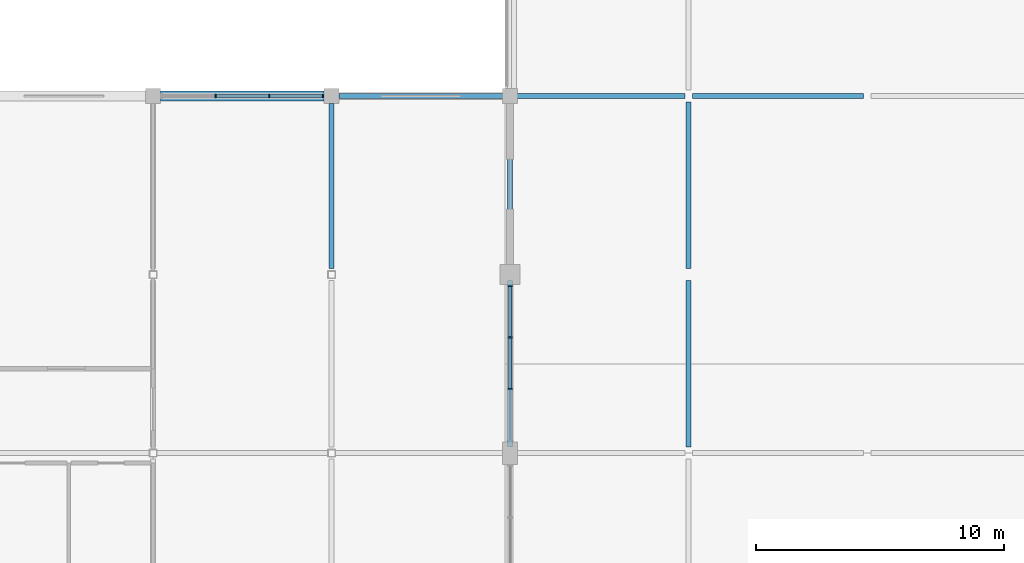
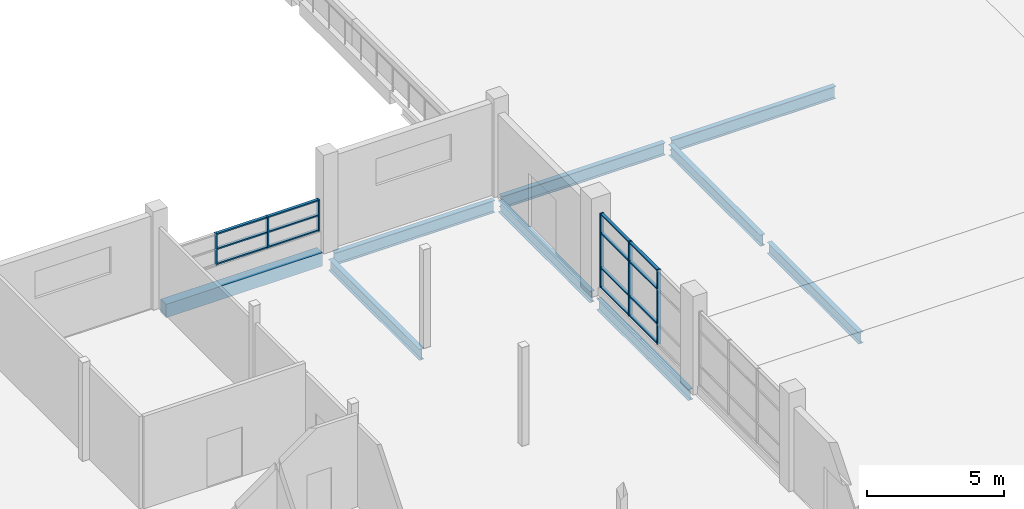
# One storey, part 23 of 71: 20 members, 9 beams, 2 elements without a shape of their own.
"""IFC4 building model written with IfcOpenShell, lengths in metres."""

from ifc_helpers import new_model, si_unit, direction, frame, origin, origin_2d, place, context, subcontext, project, spatial, rectangle, i_section, extrude, material, material_profile, profile_set, type_object, element, aggregate, save


model = new_model("IFC4")

# Units and contexts
model_context = context("Model", 3, precision=1e-05, world=origin(), true_north=direction((0.0, 1.0)))
body_context = subcontext(model_context, "Body", "Model", "MODEL_VIEW")
ifc_project = project(units=[si_unit("LENGTHUNIT", "METRE"), si_unit("AREAUNIT", "SQUARE_METRE"), si_unit("VOLUMEUNIT", "CUBIC_METRE"), si_unit("PLANEANGLEUNIT", "RADIAN"), si_unit("MASSUNIT", "GRAM", prefix="KILO")], contexts=[model_context])

# Site, building, storey
site_placement = place(None, origin())
site = spatial("IfcSite", under=ifc_project, at=site_placement, CompositionType="ELEMENT")
building_placement = place(site_placement, origin())
building = spatial("IfcBuilding", under=site, at=building_placement, Name="Sardonyx Promenade Sports Hall", CompositionType="ELEMENT")
storey_placement = place(building_placement, frame((0.0, 0.0, 16.0)))
storey = spatial("IfcBuildingStorey", under=building, at=storey_placement, Name="L03", CompositionType="ELEMENT", Elevation=16.0)

# Beams
ifc_material_1 = material(Name="Steel S355JR", Category="steel")
ifc_material_profile_1 = material_profile(ifc_material_1, i_section(OverallWidth=0.199951171875, OverallDepth=0.5, WebThickness=0.01025390625, FlangeThickness=0.01611328125, at=origin_2d()))
ifc_profile_set_1 = profile_set([ifc_material_profile_1], Name="Steel S355JR")
beam_type_1 = type_object("IfcBeamType", Name="Bm_Primary_IPE500", PredefinedType="BEAM", material=ifc_profile_set_1)
beam_1_placement = place(storey_placement, frame((100.800048828125, 21.844970703125, -0.5400390625), z_axis=(0.0, 1.0, 0.0), x_axis=(-1.0, 0.0, 0.0)))
element("IfcBeam", 1, at=beam_1_placement, inside=storey, type_object=beam_type_1, Name="Beam SB06 L03 #868", PredefinedType="BEAM", context=body_context, shape_type="SweptSolid", body=[
    extrude(i_section(OverallWidth=0.199951171875, OverallDepth=0.5, WebThickness=0.01025390625, FlangeThickness=0.01611328125, at=origin_2d()), origin(), (0.0, 0.0, 1.0), 6.655029296875),
])
for number, where, z_axis, x_axis, name in (
    (2, (108.0, 14.64501953125, -0.489990234375), (0.0, 1.0, 0.0), (-1.0, 0.0, 0.0), "Beam SB06 L03 #871"),
    (3, (108.0, 21.844970703125, -0.489990234375), (0.0, 1.0, 0.0), (-1.0, 0.0, 0.0), "Beam SB06 L03 #872"),
    (4, (115.199951171875, 14.64501953125, -0.489990234375), (0.0, 1.0, 0.0), (-1.0, 0.0, 0.0), "Beam SB06 L03 #883"),
    (5, (115.199951171875, 21.844970703125, -0.489990234375), (0.0, 1.0, 0.0), (-1.0, 0.0, 0.0), "Beam SB06 L03 #884"),
):
    element("IfcBeam", number, at=place(storey_placement, frame(where, z_axis=z_axis, x_axis=x_axis)), inside=storey, type_object=beam_type_1, Name=name, PredefinedType="BEAM", context=body_context, shape_type="SweptSolid", body=[
        extrude(i_section(OverallWidth=0.199951171875, OverallDepth=0.5, WebThickness=0.01025390625, FlangeThickness=0.01611328125, at=origin_2d()), origin(), (0.0, 0.0, 1.0), 6.7099609375),
    ])
ifc_material_2 = material(Name="Steel S355JR", Category="steel")
ifc_material_profile_2 = material_profile(ifc_material_2, i_section(OverallWidth=0.2099609375, OverallDepth=0.550048828125, WebThickness=0.010986328125, FlangeThickness=0.01708984375, at=origin_2d()))
ifc_profile_set_2 = profile_set([ifc_material_profile_2], Name="Steel S355JR")
beam_type_2 = type_object("IfcBeamType", Name="Bm_Primary_IPE550", PredefinedType="BEAM", material=ifc_profile_set_2)
beam_2_placement = place(storey_placement, frame((101.10009765625, 28.800048828125, -0.56494140625), z_axis=(1.0, 0.0, 0.0), x_axis=(0.0, 1.0, 0.0)))
element("IfcBeam", 6, at=beam_2_placement, inside=storey, type_object=beam_type_2, Name="Beam SB03 L03 #766", PredefinedType="BEAM", context=body_context, shape_type="SweptSolid", body=[
    extrude(i_section(OverallWidth=0.2099609375, OverallDepth=0.550048828125, WebThickness=0.010986328125, FlangeThickness=0.01708984375, at=origin_2d()), origin(), (0.0, 0.0, 1.0), 6.75),
])
beam_3_placement = place(storey_placement, frame((108.14990234375, 28.800048828125, -0.514892578125), z_axis=(1.0, 0.0, 0.0), x_axis=(0.0, 1.0, 0.0)))
element("IfcBeam", 7, at=beam_3_placement, inside=storey, type_object=beam_type_2, Name="Beam SB03 L03 #767", PredefinedType="BEAM", context=body_context, shape_type="SweptSolid", body=[
    extrude(i_section(OverallWidth=0.2099609375, OverallDepth=0.550048828125, WebThickness=0.010986328125, FlangeThickness=0.01708984375, at=origin_2d()), origin(), (0.0, 0.0, 1.0), 6.900146484375),
])
beam_4_placement = place(storey_placement, frame((115.35009765625, 28.800048828125, -0.514892578125), z_axis=(1.0, 0.0, 0.0), x_axis=(0.0, 1.0, 0.0)))
element("IfcBeam", 8, at=beam_4_placement, inside=storey, type_object=beam_type_2, Name="Beam SB03 L03 #768", PredefinedType="BEAM", context=body_context, shape_type="SweptSolid", body=[
    extrude(i_section(OverallWidth=0.2099609375, OverallDepth=0.550048828125, WebThickness=0.010986328125, FlangeThickness=0.01708984375, at=origin_2d()), origin(), (0.0, 0.0, 1.0), 6.89990234375),
])
ifc_material_3 = material(Name="Concrete C40/50", Category="concrete")
ifc_material_profile_3 = material_profile(ifc_material_3, rectangle(XDim=0.39990234375, YDim=0.60009765625, at=origin_2d()))
ifc_profile_set_3 = profile_set([ifc_material_profile_3], Name="Concrete C40/50")
beam_type_3 = type_object("IfcBeamType", Name="Bm_Spandrel_RC600", PredefinedType="SPANDREL", material=ifc_profile_set_3)
beam_5_placement = place(storey_placement, frame((93.89990234375, 28.800048828125, -0.300048828125), z_axis=(1.0, 0.0, 0.0), x_axis=(0.0, 1.0, 0.0)))
element("IfcBeam", 9, at=beam_5_placement, inside=storey, type_object=beam_type_3, Name="Beam SPB1 L03 #765", PredefinedType="SPANDREL", context=body_context, shape_type="SweptSolid", body=[
    extrude(rectangle(XDim=0.39990234375, YDim=0.60009765625, at=origin_2d()), origin(), (0.0, 0.0, 1.0), 6.60009765625),
])

# Curtain wall, members
ifc_material_4 = material(Name="Aluminium 6063-T6", Category="aluminium")
curtain_wall_type_1 = type_object("IfcCurtainWallType", Name="CW_South_L03_640", PredefinedType="USERDEFINED", material=ifc_material_4)
curtain_wall_1_placement = place(storey_placement, origin())
curtain_wall_1 = element("IfcCurtainWall", 10, at=curtain_wall_1_placement, inside=storey, type_object=curtain_wall_type_1, Name="Curtain wall CW14 cw:L03:161", ObjectType="CURTAIN WALL", PredefinedType="USERDEFINED")
ifc_material_5 = material(Name="Aluminium 6063-T6", Category="aluminium")
ifc_material_profile_4 = material_profile(ifc_material_5, rectangle(XDim=0.06005859375, YDim=0.14990234375, at=origin_2d()))
ifc_profile_set_4 = profile_set([ifc_material_profile_4], Name="Aluminium 6063-T6")
member_type_1 = type_object("IfcMemberType", Name="CW_Mull_150", PredefinedType="MULLION", material=ifc_profile_set_4)
member_1_placement = place(storey_placement, frame((108.0, 21.14990234375, 0.35009765625), z_axis=(0.0, 0.0, 1.0), x_axis=(0.0, -1.0, 0.0)))
member_1 = element("IfcMember", 11, at=member_1_placement, type_object=member_type_1, Name="Mullion CM01 cw:L03:161 #1", PredefinedType="MULLION", context=body_context, shape_type="SweptSolid", body=[
    extrude(rectangle(XDim=0.06005859375, YDim=0.14990234375, at=origin_2d()), origin(), (0.0, 0.0, 1.0), 3.324951171875),
])
member_2_placement = place(storey_placement, frame((108.0, 19.066650390625, 0.35009765625), z_axis=(0.0, 0.0, 1.0), x_axis=(0.0, -1.0, 0.0)))
member_2 = element("IfcMember", 12, at=member_2_placement, type_object=member_type_1, Name="Mullion CM01 cw:L03:161 #2", PredefinedType="MULLION", context=body_context, shape_type="SweptSolid", body=[
    extrude(rectangle(XDim=0.06005859375, YDim=0.14990234375, at=origin_2d()), origin(), (0.0, 0.0, 1.0), 3.324951171875),
])
member_3_placement = place(storey_placement, frame((108.0, 16.9833984375, 0.35009765625), z_axis=(0.0, 0.0, 1.0), x_axis=(0.0, -1.0, 0.0)))
member_3 = element("IfcMember", 13, at=member_3_placement, type_object=member_type_1, Name="Mullion CM01 cw:L03:161 #3", PredefinedType="MULLION", context=body_context, shape_type="SweptSolid", body=[
    extrude(rectangle(XDim=0.06005859375, YDim=0.14990234375, at=origin_2d()), origin(), (0.0, 0.0, 1.0), 3.324951171875),
])

ifc_material_6 = material(Name="Aluminium 6063-T6", Category="aluminium")
curtain_wall_type_2 = type_object("IfcCurtainWallType", Name="CW_Spandrel_Band", PredefinedType="USERDEFINED", material=ifc_material_6)
curtain_wall_2_placement = place(storey_placement, origin())
curtain_wall_2 = element("IfcCurtainWall", 14, at=curtain_wall_2_placement, inside=storey, type_object=curtain_wall_type_2, Name="Curtain wall CW16 cw:L03:167", ObjectType="CURTAIN WALL", PredefinedType="USERDEFINED")
member_4_placement = place(storey_placement, frame((96.11669921875, 28.800048828125, 0.89990234375), z_axis=(0.0, 0.0, 1.0), x_axis=(1.0, 0.0, 0.0)))
member_4 = element("IfcMember", 15, at=member_4_placement, type_object=member_type_1, Name="Mullion CM01 cw:L03:167 #2", PredefinedType="MULLION", context=body_context, shape_type="SweptSolid", body=[
    extrude(rectangle(XDim=0.06005859375, YDim=0.14990234375, at=origin_2d()), origin(), (0.0, 0.0, 1.0), 1.400146484375),
])
member_5_placement = place(storey_placement, frame((98.283447265625, 28.800048828125, 0.89990234375), z_axis=(0.0, 0.0, 1.0), x_axis=(1.0, 0.0, 0.0)))
member_5 = element("IfcMember", 16, at=member_5_placement, type_object=member_type_1, Name="Mullion CM01 cw:L03:167 #3", PredefinedType="MULLION", context=body_context, shape_type="SweptSolid", body=[
    extrude(rectangle(XDim=0.06005859375, YDim=0.14990234375, at=origin_2d()), origin(), (0.0, 0.0, 1.0), 1.400146484375),
])
member_6_placement = place(storey_placement, frame((100.449951171875, 28.800048828125, 0.89990234375), z_axis=(0.0, 0.0, 1.0), x_axis=(1.0, 0.0, 0.0)))
member_6 = element("IfcMember", 17, at=member_6_placement, type_object=member_type_1, Name="Mullion CM01 cw:L03:167 #4", PredefinedType="MULLION", context=body_context, shape_type="SweptSolid", body=[
    extrude(rectangle(XDim=0.06005859375, YDim=0.14990234375, at=origin_2d()), origin(), (0.0, 0.0, 1.0), 1.400146484375),
])

# Member
ifc_material_7 = material(Name="Aluminium 6063-T6", Category="aluminium")
ifc_material_profile_5 = material_profile(ifc_material_7, rectangle(XDim=0.06005859375, YDim=0.1201171875, at=origin_2d()))
ifc_profile_set_5 = profile_set([ifc_material_profile_5], Name="Aluminium 6063-T6")
member_type_2 = type_object("IfcMemberType", Name="CW_Tran_120", PredefinedType="USERDEFINED", material=ifc_profile_set_5)
member_7_placement = place(storey_placement, frame((108.0, 21.1201171875, 0.3798828125), z_axis=(0.0, -1.0, 0.0), x_axis=(0.0, 0.0, 1.0)))
member_7 = element("IfcMember", 18, at=member_7_placement, type_object=member_type_2, Name="Transom CT01 cw:L03:161 #1", ObjectType="TRANSOM", PredefinedType="USERDEFINED", context=body_context, shape_type="SweptSolid", body=[
    extrude(rectangle(XDim=0.06005859375, YDim=0.1201171875, at=origin_2d()), origin(), (0.0, 0.0, 1.0), 2.0234375),
])

member_8_placement = place(storey_placement, frame((108.0, 21.1201171875, 1.25), z_axis=(0.0, -1.0, 0.0), x_axis=(0.0, 0.0, 1.0)))
member_8 = element("IfcMember", 19, at=member_8_placement, type_object=member_type_2, Name="Transom CT01 cw:L03:161 #2", ObjectType="TRANSOM", PredefinedType="USERDEFINED", context=body_context, shape_type="SweptSolid", body=[
    extrude(rectangle(XDim=0.06005859375, YDim=0.1201171875, at=origin_2d()), origin(), (0.0, 0.0, 1.0), 2.0234375),
])

member_9_placement = place(storey_placement, frame((108.0, 21.1201171875, 2.800048828125), z_axis=(0.0, -1.0, 0.0), x_axis=(0.0, 0.0, 1.0)))
member_9 = element("IfcMember", 20, at=member_9_placement, type_object=member_type_2, Name="Transom CT01 cw:L03:161 #3", ObjectType="TRANSOM", PredefinedType="USERDEFINED", context=body_context, shape_type="SweptSolid", body=[
    extrude(rectangle(XDim=0.06005859375, YDim=0.1201171875, at=origin_2d()), origin(), (0.0, 0.0, 1.0), 2.0234375),
])

member_10_placement = place(storey_placement, frame((108.0, 21.1201171875, 3.64501953125), z_axis=(0.0, -1.0, 0.0), x_axis=(0.0, 0.0, 1.0)))
member_10 = element("IfcMember", 21, at=member_10_placement, type_object=member_type_2, Name="Transom CT01 cw:L03:161 #4", ObjectType="TRANSOM", PredefinedType="USERDEFINED", context=body_context, shape_type="SweptSolid", body=[
    extrude(rectangle(XDim=0.06005859375, YDim=0.1201171875, at=origin_2d()), origin(), (0.0, 0.0, 1.0), 2.0234375),
])

member_11_placement = place(storey_placement, frame((108.0, 19.03662109375, 0.3798828125), z_axis=(0.0, -1.0, 0.0), x_axis=(0.0, 0.0, 1.0)))
member_11 = element("IfcMember", 22, at=member_11_placement, type_object=member_type_2, Name="Transom CT01 cw:L03:161 #5", ObjectType="TRANSOM", PredefinedType="USERDEFINED", context=body_context, shape_type="SweptSolid", body=[
    extrude(rectangle(XDim=0.06005859375, YDim=0.1201171875, at=origin_2d()), origin(), (0.0, 0.0, 1.0), 2.023193359375),
])

member_12_placement = place(storey_placement, frame((108.0, 19.03662109375, 1.25), z_axis=(0.0, -1.0, 0.0), x_axis=(0.0, 0.0, 1.0)))
member_12 = element("IfcMember", 23, at=member_12_placement, type_object=member_type_2, Name="Transom CT01 cw:L03:161 #6", ObjectType="TRANSOM", PredefinedType="USERDEFINED", context=body_context, shape_type="SweptSolid", body=[
    extrude(rectangle(XDim=0.06005859375, YDim=0.1201171875, at=origin_2d()), origin(), (0.0, 0.0, 1.0), 2.023193359375),
])

member_13_placement = place(storey_placement, frame((108.0, 19.03662109375, 2.800048828125), z_axis=(0.0, -1.0, 0.0), x_axis=(0.0, 0.0, 1.0)))
member_13 = element("IfcMember", 24, at=member_13_placement, type_object=member_type_2, Name="Transom CT01 cw:L03:161 #7", ObjectType="TRANSOM", PredefinedType="USERDEFINED", context=body_context, shape_type="SweptSolid", body=[
    extrude(rectangle(XDim=0.06005859375, YDim=0.1201171875, at=origin_2d()), origin(), (0.0, 0.0, 1.0), 2.023193359375),
])

member_14_placement = place(storey_placement, frame((108.0, 19.03662109375, 3.64501953125), z_axis=(0.0, -1.0, 0.0), x_axis=(0.0, 0.0, 1.0)))
member_14 = element("IfcMember", 25, at=member_14_placement, type_object=member_type_2, Name="Transom CT01 cw:L03:161 #8", ObjectType="TRANSOM", PredefinedType="USERDEFINED", context=body_context, shape_type="SweptSolid", body=[
    extrude(rectangle(XDim=0.06005859375, YDim=0.1201171875, at=origin_2d()), origin(), (0.0, 0.0, 1.0), 2.023193359375),
])

aggregate(curtain_wall_1, [member_1, member_2, member_3, member_7, member_8, member_9, member_10, member_11, member_12, member_13, member_14])

member_15_placement = place(storey_placement, frame((96.146728515625, 28.800048828125, 0.929931640625), z_axis=(1.0, 0.0, 0.0), x_axis=(0.0, 0.0, 1.0)))
member_15 = element("IfcMember", 26, at=member_15_placement, type_object=member_type_2, Name="Transom CT01 cw:L03:167 #4", ObjectType="TRANSOM", PredefinedType="USERDEFINED", context=body_context, shape_type="SweptSolid", body=[
    extrude(rectangle(XDim=0.06005859375, YDim=0.1201171875, at=origin_2d()), origin(), (0.0, 0.0, 1.0), 2.106689453125),
])

member_16_placement = place(storey_placement, frame((96.146728515625, 28.800048828125, 1.60009765625), z_axis=(1.0, 0.0, 0.0), x_axis=(0.0, 0.0, 1.0)))
member_16 = element("IfcMember", 27, at=member_16_placement, type_object=member_type_2, Name="Transom CT01 cw:L03:167 #5", ObjectType="TRANSOM", PredefinedType="USERDEFINED", context=body_context, shape_type="SweptSolid", body=[
    extrude(rectangle(XDim=0.06005859375, YDim=0.1201171875, at=origin_2d()), origin(), (0.0, 0.0, 1.0), 2.106689453125),
])

member_17_placement = place(storey_placement, frame((96.146728515625, 28.800048828125, 2.27001953125), z_axis=(1.0, 0.0, 0.0), x_axis=(0.0, 0.0, 1.0)))
member_17 = element("IfcMember", 28, at=member_17_placement, type_object=member_type_2, Name="Transom CT01 cw:L03:167 #6", ObjectType="TRANSOM", PredefinedType="USERDEFINED", context=body_context, shape_type="SweptSolid", body=[
    extrude(rectangle(XDim=0.06005859375, YDim=0.1201171875, at=origin_2d()), origin(), (0.0, 0.0, 1.0), 2.106689453125),
])

member_18_placement = place(storey_placement, frame((98.313232421875, 28.800048828125, 0.929931640625), z_axis=(1.0, 0.0, 0.0), x_axis=(0.0, 0.0, 1.0)))
member_18 = element("IfcMember", 29, at=member_18_placement, type_object=member_type_2, Name="Transom CT01 cw:L03:167 #7", ObjectType="TRANSOM", PredefinedType="USERDEFINED", context=body_context, shape_type="SweptSolid", body=[
    extrude(rectangle(XDim=0.06005859375, YDim=0.1201171875, at=origin_2d()), origin(), (0.0, 0.0, 1.0), 2.106689453125),
])

member_19_placement = place(storey_placement, frame((98.313232421875, 28.800048828125, 1.60009765625), z_axis=(1.0, 0.0, 0.0), x_axis=(0.0, 0.0, 1.0)))
member_19 = element("IfcMember", 30, at=member_19_placement, type_object=member_type_2, Name="Transom CT01 cw:L03:167 #8", ObjectType="TRANSOM", PredefinedType="USERDEFINED", context=body_context, shape_type="SweptSolid", body=[
    extrude(rectangle(XDim=0.06005859375, YDim=0.1201171875, at=origin_2d()), origin(), (0.0, 0.0, 1.0), 2.106689453125),
])

member_20_placement = place(storey_placement, frame((98.313232421875, 28.800048828125, 2.27001953125), z_axis=(1.0, 0.0, 0.0), x_axis=(0.0, 0.0, 1.0)))
member_20 = element("IfcMember", 31, at=member_20_placement, type_object=member_type_2, Name="Transom CT01 cw:L03:167 #9", ObjectType="TRANSOM", PredefinedType="USERDEFINED", context=body_context, shape_type="SweptSolid", body=[
    extrude(rectangle(XDim=0.06005859375, YDim=0.1201171875, at=origin_2d()), origin(), (0.0, 0.0, 1.0), 2.106689453125),
])

aggregate(curtain_wall_2, [member_4, member_5, member_6, member_15, member_16, member_17, member_18, member_19, member_20])

save(model, "model.ifc")
